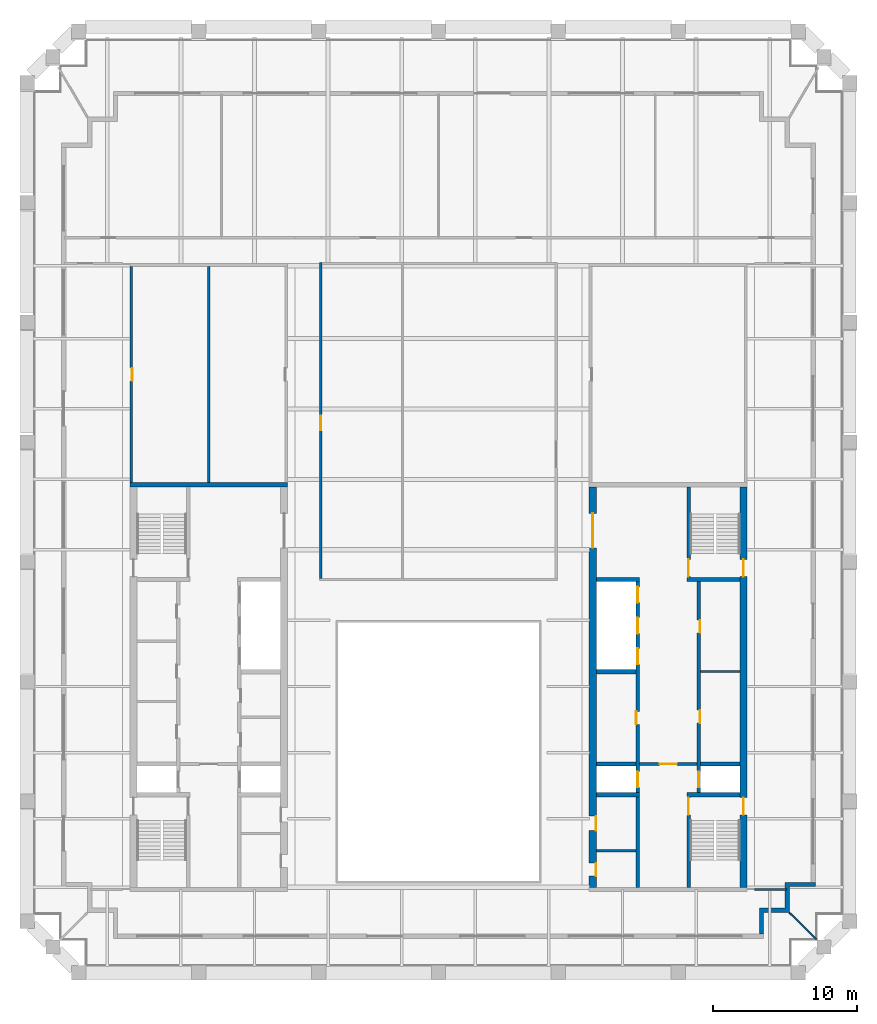
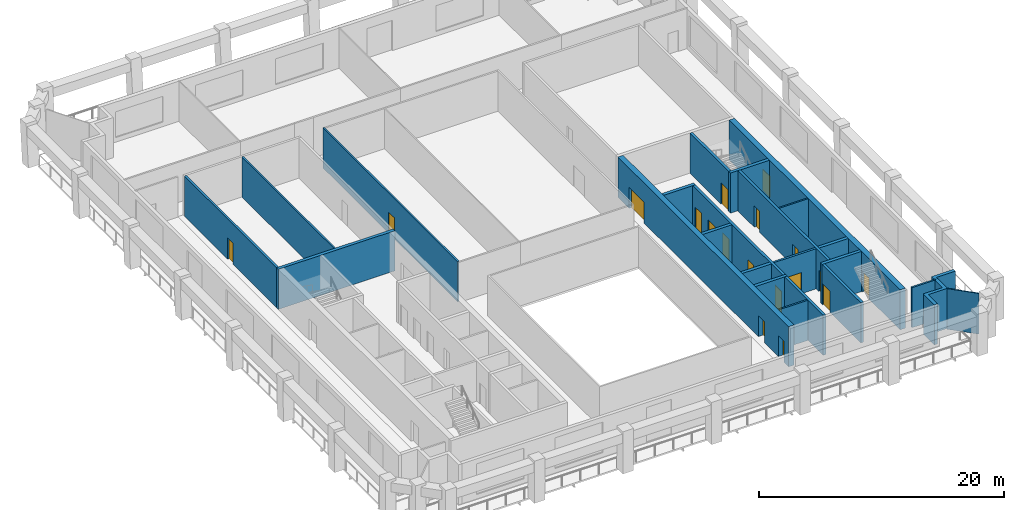
# One storey, part 4 of 7: 23 walls, 18 doors, 18 openings.
"""IFC4 building model written with IfcOpenShell, lengths in metres."""

from ifc_helpers import new_model, si_unit, direction, frame, frame_2d, origin, place, context, subcontext, project, spatial, polyline, rectangle, outline, extrude, material, layer, layer_set, type_object, element, fill, save


model = new_model("IFC4")

# Units and contexts
model_context = context("Model", 3, precision=1e-05, world=origin(), true_north=direction((0.0, 1.0)))
body_context = subcontext(model_context, "Body", "Model", "MODEL_VIEW")
ifc_project = project(units=[si_unit("LENGTHUNIT", "METRE"), si_unit("AREAUNIT", "SQUARE_METRE"), si_unit("VOLUMEUNIT", "CUBIC_METRE"), si_unit("PLANEANGLEUNIT", "RADIAN"), si_unit("MASSUNIT", "GRAM", prefix="KILO")], contexts=[model_context])

# Site, building, storey
site_placement = place(None, origin())
site = spatial("IfcSite", under=ifc_project, at=site_placement, CompositionType="ELEMENT")
building_placement = place(site_placement, origin())
building = spatial("IfcBuilding", under=site, at=building_placement, Name="Ogive Exchange Tower", CompositionType="ELEMENT")
storey_placement = place(building_placement, frame((0.0, 0.0, 321.60009765625)))
storey = spatial("IfcBuildingStorey", under=building, at=storey_placement, Name="L70", CompositionType="ELEMENT", Elevation=321.60009765625)

# Walls
ifc_material_1 = material(Name="Gypsum board partition")
ifc_layer_1 = layer(ifc_material_1, 0.14990234375)
ifc_layer_set_1 = layer_set([ifc_layer_1], Name="Core room partition 150 gypsum")
wall_type_1 = type_object("IfcWallType", Name="Core room partition 150 gypsum", PredefinedType="PARTITIONING", material=ifc_layer_set_1)
wall_1_placement = place(storey_placement, frame((-16.0, 25.75, 0.0), z_axis=(0.0, 0.0, 1.0), x_axis=(0.0, 1.0, 0.0)))
element("IfcWall", 1, at=wall_1_placement, inside=storey, type_object=wall_type_1, Name="W annex N column wall", PredefinedType="PARTITIONING", context=body_context, shape_type="SweptSolid", body=[
    extrude(rectangle(XDim=15.050048828125, YDim=0.14990234375, at=frame_2d((7.52490234375, 0.0))), origin(), (0.0, 0.0, 1.0), 4.0),
])
for number, where, z_axis, x_axis, name in (
    (2, (18.25, 12.60009765625, 0.0), (0.0, 0.0, 1.0), (1.0, 0.0, 0.0), "E row A bay partition 1-1"),
    (3, (11.0, 0.10009765625, 0.0), (0.0, 0.0, 1.0), (1.0, 0.0, 0.0), "E south room partition"),
):
    element("IfcWall", number, at=place(storey_placement, frame(where, z_axis=z_axis, x_axis=x_axis)), inside=storey, type_object=wall_type_1, Name=name, PredefinedType="PARTITIONING", context=body_context, shape_type="SweptSolid", body=[
        extrude(rectangle(XDim=2.75, YDim=0.14990234375, at=frame_2d((1.375, 0.0))), origin(), (0.0, 0.0, 1.0), 4.0),
    ])

# Wall, opening, door
ifc_material_2 = material(Name="Fire partition EI 60 150")
ifc_layer_2 = layer(ifc_material_2, 0.14990234375)
ifc_layer_set_2 = layer_set([ifc_layer_2], Name="Fire partition EI 60 150")
wall_type_2 = type_object("IfcWallType", Name="Fire partition EI 60 150", PredefinedType="PARTITIONING", material=ifc_layer_set_2)
wall_2_placement = place(storey_placement, frame((-8.199951171875, 41.074951171875, 0.0), z_axis=(0.0, 0.0, 1.0), x_axis=(0.0, -1.0, 0.0)))
wall_2 = element("IfcWall", 4, at=wall_2_placement, inside=storey, type_object=wall_type_2, Name="L70-PWL-008", PredefinedType="PARTITIONING", context=body_context, shape_type="SweptSolid", body=[
    extrude(rectangle(XDim=22.0, YDim=0.14990234375, at=frame_2d((11.0, 0.0))), origin(), (0.0, 0.0, 1.0), 4.0),
])
opening_1_placement = place(wall_2_placement, frame((10.675048828125, 0.0, 0.0)))
opening_1 = element("IfcOpeningElement", 5, at=opening_1_placement, cuts=wall_2, Name="Opening L70-I06", PredefinedType="OPENING", context=body_context, shape_type="SweptSolid", body=[
    extrude(rectangle(XDim=1.0, YDim=2.10009765625, at=frame_2d((0.5, 1.050048828125))), frame((0.0, 0.0849609375, 0.0), z_axis=(0.0, -1.0, 0.0), x_axis=(1.0, 0.0, 0.0)), (0.0, 0.0, 1.0), 0.169921875),
])
ifc_material_3 = material(Name="Fire door FD 30S 1000 x 2100")
door_type_1 = type_object("IfcDoorType", Name="Fire door FD 30S 1000 x 2100", OperationType="NOTDEFINED", PredefinedType="DOOR", material=ifc_material_3)
door_1_placement = place(opening_1_placement, origin())
door_1 = element("IfcDoor", 6, at=door_1_placement, inside=storey, type_object=door_type_1, Name="L70-IDR-006", ObjectType="DT3", OperationType="SINGLE_SWING_RIGHT", OverallHeight=2.10009765625, OverallWidth=1.0, PredefinedType="DOOR", context=body_context, shape_type="SweptSolid", body=[
    extrude(rectangle(XDim=1.0, YDim=2.10009765625, at=frame_2d((0.5, 1.050048828125))), frame((0.0, 0.02490234375, 0.0), z_axis=(0.0, -1.0, 0.0), x_axis=(1.0, 0.0, 0.0)), (0.0, 0.0, 1.0), 0.050048828125),
])
fill(opening_1, door_1)

# Walls
wall_3_placement = place(storey_placement, frame((22.0, -2.60009765625, 0.0), z_axis=(0.0, 0.0, 1.0), x_axis=(1.0, 0.0, 0.0)))
element("IfcWall", 7, at=wall_3_placement, inside=storey, type_object=wall_type_2, Name="L70-PWL-019", PredefinedType="PARTITIONING", context=body_context, shape_type="SweptSolid", body=[
    extrude(rectangle(XDim=2.25, YDim=0.14990234375, at=frame_2d((1.125, 0.0))), origin(), (0.0, 0.0, 1.0), 4.0),
])
ifc_material_4 = material(Name="Precast concrete C40/50", Category="concrete")
ifc_layer_3 = layer(ifc_material_4, 0.300048828125)
ifc_layer_set_3 = layer_set([ifc_layer_3], Name="Limestone-faced wall 300")
wall_type_3 = type_object("IfcWallType", Name="Limestone-faced wall 300", PredefinedType="STANDARD", material=ifc_layer_set_3)
wall_4_placement = place(storey_placement, origin())
element("IfcWall", 8, at=wall_4_placement, inside=storey, type_object=wall_type_3, Name="External corner wall C1", PredefinedType="STANDARD", context=body_context, shape_type="SweptSolid", body=[
    extrude(outline(polyline([(24.14990234375, -3.89990234375), (24.14990234375, -2.10009765625), (26.25, -2.10009765625), (26.25, -2.39990234375), (24.449951171875, -2.39990234375), (24.449951171875, -4.199951171875), (22.64990234375, -4.199951171875), (22.64990234375, -5.699951171875), (22.35009765625, -5.699951171875), (22.35009765625, -3.89990234375), (24.14990234375, -3.89990234375)])), origin(), (0.0, 0.0, 1.0), 4.0),
])
ifc_material_5 = material(Name="Laminated safety glass in steel frame", Category="steel")
ifc_layer_4 = layer(ifc_material_5, 0.10009765625)
ifc_layer_set_4 = layer_set([ifc_layer_4], Name="Loggia end screen 100")
wall_type_4 = type_object("IfcWallType", Name="Loggia end screen 100", PredefinedType="STANDARD", material=ifc_layer_set_4)
wall_5_placement = place(storey_placement, frame((24.449951171875, -4.199951171875, -0.050048828125), z_axis=(0.0, 0.0, 1.0), x_axis=(0.707106781187, -0.707106781187, 0.0)))
element("IfcWall", 9, at=wall_5_placement, inside=storey, type_object=wall_type_4, Name="Loggia end screen C1", PredefinedType="STANDARD", context=body_context, shape_type="SweptSolid", body=[
    extrude(rectangle(XDim=2.667236328125, YDim=0.10009765625, at=frame_2d((1.33349609375, 0.0))), origin(), (0.0, 0.0, 1.0), 4.050048828125),
])

# Wall, opening, door
ifc_material_6 = material(Name="Concrete C70/85", Category="concrete")
ifc_layer_5 = layer(ifc_material_6, 0.199951171875)
ifc_layer_set_5 = layer_set([ifc_layer_5], Name="RC core wall 200 C70/85")
wall_type_5 = type_object("IfcWallType", Name="RC core wall 200 C70/85", PredefinedType="SHEAR", material=ifc_layer_set_5)
wall_6_placement = place(storey_placement, frame((-21.39990234375, 25.75, 0.0), z_axis=(0.0, 0.0, 1.0), x_axis=(0.0, 1.0, 0.0)))
wall_6 = element("IfcWall", 10, at=wall_6_placement, inside=storey, type_object=wall_type_5, Name="W annex N outer wall", PredefinedType="SHEAR", context=body_context, shape_type="SweptSolid", body=[
    extrude(rectangle(XDim=15.050048828125, YDim=0.199951171875, at=frame_2d((7.52490234375, 0.0))), origin(), (0.0, 0.0, 1.0), 4.0),
])
opening_2_placement = place(wall_6_placement, frame((7.074951171875, 0.0, 0.0)))
opening_2 = element("IfcOpeningElement", 11, at=opening_2_placement, cuts=wall_6, Name="Opening L70-C19", PredefinedType="OPENING", context=body_context, shape_type="SweptSolid", body=[
    extrude(rectangle(XDim=0.89990234375, YDim=2.10009765625, at=frame_2d((0.449951171875, 1.050048828125))), frame((0.0, 0.10986328125, 0.0), z_axis=(0.0, -1.0, 0.0), x_axis=(1.0, 0.0, 0.0)), (0.0, 0.0, 1.0), 0.219970703125),
])
ifc_material_7 = material(Name="Steel fire door", Category="steel")
door_type_2 = type_object("IfcDoorType", Name="Riser door FD60 900 x 2100", OperationType="NOTDEFINED", PredefinedType="DOOR", material=ifc_material_7)
door_2_placement = place(opening_2_placement, origin())
door_2 = element("IfcDoor", 12, at=door_2_placement, inside=storey, type_object=door_type_2, Name="Riser door", ObjectType="CD2", OperationType="SINGLE_SWING_RIGHT", OverallHeight=2.10009765625, OverallWidth=0.89990234375, PredefinedType="DOOR", context=body_context, shape_type="SweptSolid", body=[
    extrude(rectangle(XDim=0.89990234375, YDim=2.10009765625, at=frame_2d((0.449951171875, 1.050048828125))), frame((0.0, -0.0498046875, 0.0), z_axis=(0.0, -1.0, 0.0), x_axis=(1.0, 0.0, 0.0)), (0.0, 0.0, 1.0), 0.050048828125),
])
fill(opening_2, door_2)

wall_7_placement = place(storey_placement, frame((14.0, 6.142822265625, 0.0), z_axis=(0.0, 0.0, 1.0), x_axis=(1.0, 0.0, 0.0)))
wall_7 = element("IfcWall", 13, at=wall_7_placement, inside=storey, type_object=wall_type_5, Name="E firefighting lobby wall", PredefinedType="SHEAR", context=body_context, shape_type="SweptSolid", body=[
    extrude(rectangle(XDim=4.0, YDim=0.199951171875, at=frame_2d((2.0, 0.0))), origin(), (0.0, 0.0, 1.0), 4.0),
])
opening_3_placement = place(wall_7_placement, frame((1.39990234375, 0.0, 0.0)))
opening_3 = element("IfcOpeningElement", 14, at=opening_3_placement, cuts=wall_7, Name="Opening L70-C29", PredefinedType="OPENING", context=body_context, shape_type="SweptSolid", body=[
    extrude(rectangle(XDim=1.199951171875, YDim=2.10009765625, at=frame_2d((0.60009765625, 1.050048828125))), frame((0.0, 0.10986328125, 0.0), z_axis=(0.0, -1.0, 0.0), x_axis=(1.0, 0.0, 0.0)), (0.0, 0.0, 1.0), 0.219970703125),
])
door_type_3 = type_object("IfcDoorType", Name="Firefighting lobby door FD60 1200 x 2100", OperationType="NOTDEFINED", PredefinedType="DOOR", material=ifc_material_7)
door_3_placement = place(opening_3_placement, frame((1.199951171875, 0.0, 0.0), z_axis=(0.0, 0.0, 1.0), x_axis=(-1.0, 0.0, 0.0)))
door_3 = element("IfcDoor", 15, at=door_3_placement, inside=storey, type_object=door_type_3, Name="Firefighting lobby door", ObjectType="CD3", OperationType="SINGLE_SWING_RIGHT", OverallHeight=2.10009765625, OverallWidth=1.199951171875, PredefinedType="DOOR", context=body_context, shape_type="SweptSolid", body=[
    extrude(rectangle(XDim=1.199951171875, YDim=2.10009765625, at=frame_2d((0.60009765625, 1.050048828125))), frame((0.0, 0.02490234375, 0.0), z_axis=(0.0, -1.0, 0.0), x_axis=(1.0, 0.0, 0.0)), (0.0, 0.0, 1.0), 0.050048828125),
])
fill(opening_3, door_3)

ifc_layer_6 = layer(ifc_material_6, 0.25)
ifc_layer_set_6 = layer_set([ifc_layer_6], Name="RC core wall 250 C70/85")
wall_type_6 = type_object("IfcWallType", Name="RC core wall 250 C70/85", PredefinedType="SHEAR", material=ifc_layer_set_6)
wall_8_placement = place(storey_placement, frame((17.425048828125, -2.449951171875, 0.0), z_axis=(0.0, 0.0, 1.0), x_axis=(0.0, 1.0, 0.0)))
wall_8 = element("IfcWall", 16, at=wall_8_placement, inside=storey, type_object=wall_type_6, Name="E stair S front wall", PredefinedType="SHEAR", context=body_context, shape_type="SweptSolid", body=[
    extrude(rectangle(XDim=6.300048828125, YDim=0.25, at=frame_2d((3.14990234375, 0.0))), origin(), (0.0, 0.0, 1.0), 4.0),
])
opening_4_placement = place(wall_8_placement, frame((5.050048828125, 0.0, 0.0)))
opening_4 = element("IfcOpeningElement", 17, at=opening_4_placement, cuts=wall_8, Name="Opening L70-C31", PredefinedType="OPENING", context=body_context, shape_type="SweptSolid", body=[
    extrude(rectangle(XDim=1.199951171875, YDim=2.10009765625, at=frame_2d((0.60009765625, 1.050048828125))), frame((0.0, 0.135009765625, 0.0), z_axis=(0.0, -1.0, 0.0), x_axis=(1.0, 0.0, 0.0)), (0.0, 0.0, 1.0), 0.27001953125),
])
door_type_4 = type_object("IfcDoorType", Name="Stair door FD90 1200 x 2100", OperationType="NOTDEFINED", PredefinedType="DOOR", material=ifc_material_7)
door_4_placement = place(opening_4_placement, frame((1.199951171875, 0.0, 0.0), z_axis=(0.0, 0.0, 1.0), x_axis=(-1.0, 0.0, 0.0)))
door_4 = element("IfcDoor", 18, at=door_4_placement, inside=storey, type_object=door_type_4, Name="Stair door", ObjectType="CD5", OperationType="SINGLE_SWING_RIGHT", OverallHeight=2.10009765625, OverallWidth=1.199951171875, PredefinedType="DOOR", context=body_context, shape_type="SweptSolid", body=[
    extrude(rectangle(XDim=1.199951171875, YDim=2.10009765625, at=frame_2d((0.60009765625, 1.050048828125))), frame((0.0, 0.02490234375, 0.0), z_axis=(0.0, -1.0, 0.0), x_axis=(1.0, 0.0, 0.0)), (0.0, 0.0, 1.0), 0.050048828125),
])
fill(opening_4, door_4)

wall_9_placement = place(storey_placement, frame((17.425048828125, 19.14990234375, 0.0), z_axis=(0.0, 0.0, 1.0), x_axis=(0.0, 1.0, 0.0)))
wall_9 = element("IfcWall", 19, at=wall_9_placement, inside=storey, type_object=wall_type_6, Name="E stair N front wall", PredefinedType="SHEAR", context=body_context, shape_type="SweptSolid", body=[
    extrude(rectangle(XDim=6.300048828125, YDim=0.25, at=frame_2d((3.14990234375, 0.0))), origin(), (0.0, 0.0, 1.0), 4.0),
])
opening_5_placement = place(wall_9_placement, frame((0.050048828125, 0.0, 0.0)))
opening_5 = element("IfcOpeningElement", 20, at=opening_5_placement, cuts=wall_9, Name="Opening L70-C33", PredefinedType="OPENING", context=body_context, shape_type="SweptSolid", body=[
    extrude(rectangle(XDim=1.199951171875, YDim=2.10009765625, at=frame_2d((0.60009765625, 1.050048828125))), frame((0.0, 0.135009765625, 0.0), z_axis=(0.0, -1.0, 0.0), x_axis=(1.0, 0.0, 0.0)), (0.0, 0.0, 1.0), 0.27001953125),
])
door_5_placement = place(opening_5_placement, frame((1.199951171875, 0.0, 0.0), z_axis=(0.0, 0.0, 1.0), x_axis=(-1.0, 0.0, 0.0)))
door_5 = element("IfcDoor", 21, at=door_5_placement, inside=storey, type_object=door_type_4, Name="Stair door", ObjectType="CD5", OperationType="SINGLE_SWING_LEFT", OverallHeight=2.10009765625, OverallWidth=1.199951171875, PredefinedType="DOOR", context=body_context, shape_type="SweptSolid", body=[
    extrude(rectangle(XDim=1.199951171875, YDim=2.10009765625, at=frame_2d((0.60009765625, 1.050048828125))), frame((0.0, 0.02490234375, 0.0), z_axis=(0.0, -1.0, 0.0), x_axis=(1.0, 0.0, 0.0)), (0.0, 0.0, 1.0), 0.050048828125),
])
fill(opening_5, door_5)

# Wall, openings, doors
wall_10_placement = place(storey_placement, frame((18.125, 4.14990234375, 0.0), z_axis=(0.0, 0.0, 1.0), x_axis=(0.0, 1.0, 0.0)))
wall_10 = element("IfcWall", 22, at=wall_10_placement, inside=storey, type_object=wall_type_6, Name="E row A front wall", PredefinedType="SHEAR", context=body_context, shape_type="SweptSolid", body=[
    extrude(rectangle(XDim=14.7001953125, YDim=0.25, at=frame_2d((7.35009765625, 0.0))), origin(), (0.0, 0.0, 1.0), 4.0),
])
opening_6_placement = place(wall_10_placement, frame((4.846435546875, 0.0, 0.0)))
opening_6 = element("IfcOpeningElement", 23, at=opening_6_placement, cuts=wall_10, Name="Opening L70-C21", PredefinedType="OPENING", context=body_context, shape_type="SweptSolid", body=[
    extrude(rectangle(XDim=0.89990234375, YDim=2.10009765625, at=frame_2d((0.449951171875, 1.050048828125))), frame((0.0, 0.135009765625, 0.0), z_axis=(0.0, -1.0, 0.0), x_axis=(1.0, 0.0, 0.0)), (0.0, 0.0, 1.0), 0.27001953125),
])
opening_7_placement = place(wall_10_placement, frame((11.125, 0.0, 0.0)))
opening_7 = element("IfcOpeningElement", 24, at=opening_7_placement, cuts=wall_10, Name="Opening L70-C22", PredefinedType="OPENING", context=body_context, shape_type="SweptSolid", body=[
    extrude(rectangle(XDim=0.89990234375, YDim=2.10009765625, at=frame_2d((0.449951171875, 1.050048828125))), frame((0.0, 0.135009765625, 0.0), z_axis=(0.0, -1.0, 0.0), x_axis=(1.0, 0.0, 0.0)), (0.0, 0.0, 1.0), 0.27001953125),
])
opening_8_placement = place(wall_10_placement, frame((0.371337890625, 0.0, 0.0)))
opening_8 = element("IfcOpeningElement", 25, at=opening_8_placement, cuts=wall_10, Name="Opening L70-C23", PredefinedType="OPENING", context=body_context, shape_type="SweptSolid", body=[
    extrude(rectangle(XDim=1.10009765625, YDim=2.10009765625, at=frame_2d((0.550048828125, 1.050048828125))), frame((0.0, 0.135009765625, 0.0), z_axis=(0.0, -1.0, 0.0), x_axis=(1.0, 0.0, 0.0)), (0.0, 0.0, 1.0), 0.27001953125),
])
ifc_material_8 = material(Name="Timber fire door", Category="wood")
door_type_5 = type_object("IfcDoorType", Name="Core room door FD30S 900 x 2100", OperationType="NOTDEFINED", PredefinedType="DOOR", material=ifc_material_8)
door_6_placement = place(opening_7_placement, frame((0.89990234375, -0.2001953125, 0.0), z_axis=(0.0, 0.0, 1.0), x_axis=(-1.0, 0.0, 0.0)))
door_6 = element("IfcDoor", 26, at=door_6_placement, inside=storey, type_object=door_type_5, Name="Core room door", ObjectType="CD6", OperationType="SINGLE_SWING_RIGHT", OverallHeight=2.10009765625, OverallWidth=0.89990234375, PredefinedType="DOOR", context=body_context, shape_type="SweptSolid", body=[
    extrude(rectangle(XDim=0.89990234375, YDim=2.10009765625, at=frame_2d((0.449951171875, 1.050048828125))), frame((0.0, -0.0751953125, 0.0), z_axis=(0.0, -1.0, 0.0), x_axis=(1.0, 0.0, 0.0)), (0.0, 0.0, 1.0), 0.050048828125),
])
fill(opening_7, door_6)
ifc_material_9 = material(Name="Stainless steel", Category="steel")
door_type_6 = type_object("IfcDoorType", Name="Lift landing door FD90 1100 x 2100", OperationType="SLIDING_TO_LEFT", PredefinedType="DOOR", material=ifc_material_9)
door_7_placement = place(opening_8_placement, origin())
door_7 = element("IfcDoor", 27, at=door_7_placement, inside=storey, type_object=door_type_6, Name="Lift landing door FF2", ObjectType="LD", OperationType="SLIDING_TO_LEFT", OverallHeight=2.10009765625, OverallWidth=1.10009765625, PredefinedType="DOOR", context=body_context, shape_type="SweptSolid", body=[
    extrude(rectangle(XDim=1.10009765625, YDim=2.10009765625, at=frame_2d((0.550048828125, 1.050048828125))), frame((0.0, 0.02490234375, 0.0), z_axis=(0.0, -1.0, 0.0), x_axis=(1.0, 0.0, 0.0)), (0.0, 0.0, 1.0), 0.050048828125),
])
fill(opening_8, door_7)
door_8_placement = place(opening_6_placement, frame((0.89990234375, -0.2001953125, 0.0), z_axis=(0.0, 0.0, 1.0), x_axis=(-1.0, 0.0, 0.0)))
door_8 = element("IfcDoor", 28, at=door_8_placement, inside=storey, type_object=door_type_2, Name="Riser door", ObjectType="CD2", OperationType="SINGLE_SWING_RIGHT", OverallHeight=2.10009765625, OverallWidth=0.89990234375, PredefinedType="DOOR", context=body_context, shape_type="SweptSolid", body=[
    extrude(rectangle(XDim=0.89990234375, YDim=2.10009765625, at=frame_2d((0.449951171875, 1.050048828125))), frame((0.0, -0.0751953125, 0.0), z_axis=(0.0, -1.0, 0.0), x_axis=(1.0, 0.0, 0.0)), (0.0, 0.0, 1.0), 0.050048828125),
])
fill(opening_6, door_8)

wall_11_placement = place(storey_placement, frame((13.875, -2.449951171875, 0.0), z_axis=(0.0, 0.0, 1.0), x_axis=(0.0, 1.0, 0.0)))
wall_11 = element("IfcWall", 29, at=wall_11_placement, inside=storey, type_object=wall_type_6, Name="E row B front wall", PredefinedType="SHEAR", context=body_context, shape_type="SweptSolid", body=[
    extrude(rectangle(XDim=21.300048828125, YDim=0.25, at=frame_2d((10.64990234375, 0.0))), origin(), (0.0, 0.0, 1.0), 4.0),
])
opening_9_placement = place(wall_11_placement, frame((11.357177734375, 0.0, 0.0)))
opening_9 = element("IfcOpeningElement", 30, at=opening_9_placement, cuts=wall_11, Name="Opening L70-C24", PredefinedType="OPENING", context=body_context, shape_type="SweptSolid", body=[
    extrude(rectangle(XDim=0.89990234375, YDim=2.10009765625, at=frame_2d((0.449951171875, 1.050048828125))), frame((0.0, 0.135009765625, 0.0), z_axis=(0.0, -1.0, 0.0), x_axis=(1.0, 0.0, 0.0)), (0.0, 0.0, 1.0), 0.27001953125),
])
opening_10_placement = place(wall_11_placement, frame((6.971435546875, 0.0, 0.0)))
opening_10 = element("IfcOpeningElement", 31, at=opening_10_placement, cuts=wall_11, Name="Opening L70-C25", PredefinedType="OPENING", context=body_context, shape_type="SweptSolid", body=[
    extrude(rectangle(XDim=1.10009765625, YDim=2.10009765625, at=frame_2d((0.550048828125, 1.050048828125))), frame((0.0, 0.135009765625, 0.0), z_axis=(0.0, -1.0, 0.0), x_axis=(1.0, 0.0, 0.0)), (0.0, 0.0, 1.0), 0.27001953125),
])
opening_11_placement = place(wall_11_placement, frame((15.54296875, 0.0, 0.0)))
opening_11 = element("IfcOpeningElement", 32, at=opening_11_placement, cuts=wall_11, Name="Opening L70-C26", PredefinedType="OPENING", context=body_context, shape_type="SweptSolid", body=[
    extrude(rectangle(XDim=1.10009765625, YDim=2.10009765625, at=frame_2d((0.550048828125, 1.050048828125))), frame((0.0, 0.135009765625, 0.0), z_axis=(0.0, -1.0, 0.0), x_axis=(1.0, 0.0, 0.0)), (0.0, 0.0, 1.0), 0.27001953125),
])
opening_12_placement = place(wall_11_placement, frame((17.685791015625, 0.0, 0.0)))
opening_12 = element("IfcOpeningElement", 33, at=opening_12_placement, cuts=wall_11, Name="Opening L70-C27", PredefinedType="OPENING", context=body_context, shape_type="SweptSolid", body=[
    extrude(rectangle(XDim=1.10009765625, YDim=2.10009765625, at=frame_2d((0.550048828125, 1.050048828125))), frame((0.0, 0.135009765625, 0.0), z_axis=(0.0, -1.0, 0.0), x_axis=(1.0, 0.0, 0.0)), (0.0, 0.0, 1.0), 0.27001953125),
])
opening_13_placement = place(wall_11_placement, frame((19.82861328125, 0.0, 0.0)))
opening_13 = element("IfcOpeningElement", 34, at=opening_13_placement, cuts=wall_11, Name="Opening L70-C28", PredefinedType="OPENING", context=body_context, shape_type="SweptSolid", body=[
    extrude(rectangle(XDim=1.10009765625, YDim=2.10009765625, at=frame_2d((0.550048828125, 1.050048828125))), frame((0.0, 0.135009765625, 0.0), z_axis=(0.0, -1.0, 0.0), x_axis=(1.0, 0.0, 0.0)), (0.0, 0.0, 1.0), 0.27001953125),
])
door_9_placement = place(opening_9_placement, origin())
door_9 = element("IfcDoor", 35, at=door_9_placement, inside=storey, type_object=door_type_5, Name="Core room door", ObjectType="CD6", OperationType="SINGLE_SWING_RIGHT", OverallHeight=2.10009765625, OverallWidth=0.89990234375, PredefinedType="DOOR", context=body_context, shape_type="SweptSolid", body=[
    extrude(rectangle(XDim=0.89990234375, YDim=2.10009765625, at=frame_2d((0.449951171875, 1.050048828125))), frame((0.0, 0.125, 0.0), z_axis=(0.0, -1.0, 0.0), x_axis=(1.0, 0.0, 0.0)), (0.0, 0.0, 1.0), 0.050048828125),
])
fill(opening_9, door_9)
door_10_placement = place(opening_10_placement, origin())
door_10 = element("IfcDoor", 36, at=door_10_placement, inside=storey, type_object=door_type_6, Name="Lift landing door SV2", ObjectType="LD", OperationType="SLIDING_TO_LEFT", OverallHeight=2.10009765625, OverallWidth=1.10009765625, PredefinedType="DOOR", context=body_context, shape_type="SweptSolid", body=[
    extrude(rectangle(XDim=1.10009765625, YDim=2.10009765625, at=frame_2d((0.550048828125, 1.050048828125))), frame((0.0, 0.02490234375, 0.0), z_axis=(0.0, -1.0, 0.0), x_axis=(1.0, 0.0, 0.0)), (0.0, 0.0, 1.0), 0.050048828125),
])
fill(opening_10, door_10)
door_11_placement = place(opening_11_placement, origin())
door_11 = element("IfcDoor", 37, at=door_11_placement, inside=storey, type_object=door_type_6, Name="Lift landing door E-H1", ObjectType="LD", OperationType="SLIDING_TO_LEFT", OverallHeight=2.10009765625, OverallWidth=1.10009765625, PredefinedType="DOOR", context=body_context, shape_type="SweptSolid", body=[
    extrude(rectangle(XDim=1.10009765625, YDim=2.10009765625, at=frame_2d((0.550048828125, 1.050048828125))), frame((0.0, 0.02490234375, 0.0), z_axis=(0.0, -1.0, 0.0), x_axis=(1.0, 0.0, 0.0)), (0.0, 0.0, 1.0), 0.050048828125),
])
fill(opening_11, door_11)
door_12_placement = place(opening_12_placement, origin())
door_12 = element("IfcDoor", 38, at=door_12_placement, inside=storey, type_object=door_type_6, Name="Lift landing door E-H2", ObjectType="LD", OperationType="SLIDING_TO_LEFT", OverallHeight=2.10009765625, OverallWidth=1.10009765625, PredefinedType="DOOR", context=body_context, shape_type="SweptSolid", body=[
    extrude(rectangle(XDim=1.10009765625, YDim=2.10009765625, at=frame_2d((0.550048828125, 1.050048828125))), frame((0.0, 0.02490234375, 0.0), z_axis=(0.0, -1.0, 0.0), x_axis=(1.0, 0.0, 0.0)), (0.0, 0.0, 1.0), 0.050048828125),
])
fill(opening_12, door_12)
door_13_placement = place(opening_13_placement, origin())
door_13 = element("IfcDoor", 39, at=door_13_placement, inside=storey, type_object=door_type_6, Name="Lift landing door E-H3", ObjectType="LD", OperationType="SLIDING_TO_LEFT", OverallHeight=2.10009765625, OverallWidth=1.10009765625, PredefinedType="DOOR", context=body_context, shape_type="SweptSolid", body=[
    extrude(rectangle(XDim=1.10009765625, YDim=2.10009765625, at=frame_2d((0.550048828125, 1.050048828125))), frame((0.0, 0.02490234375, 0.0), z_axis=(0.0, -1.0, 0.0), x_axis=(1.0, 0.0, 0.0)), (0.0, 0.0, 1.0), 0.050048828125),
])
fill(opening_13, door_13)

# Walls
ifc_layer_7 = layer(ifc_material_6, 0.300048828125)
ifc_layer_set_7 = layer_set([ifc_layer_7], Name="RC core wall 300 C70/85")
wall_type_7 = type_object("IfcWallType", Name="RC core wall 300 C70/85", PredefinedType="SHEAR", material=ifc_layer_set_7)
wall_12_placement = place(storey_placement, frame((-21.5, 25.60009765625, 0.0), z_axis=(0.0, 0.0, 1.0), x_axis=(1.0, 0.0, 0.0)))
element("IfcWall", 40, at=wall_12_placement, inside=storey, type_object=wall_type_7, Name="W north end wall", PredefinedType="SHEAR", context=body_context, shape_type="SweptSolid", body=[
    extrude(rectangle(XDim=11.0, YDim=0.300048828125, at=frame_2d((5.5, 0.0))), origin(), (0.0, 0.0, 1.0), 4.0),
])
for number, where, z_axis, x_axis, name in (
    (41, (17.300048828125, 4.0, 0.0), (0.0, 0.0, 1.0), (1.0, 0.0, 0.0), "E stair S north wall"),
    (42, (17.300048828125, 19.0, 0.0), (0.0, 0.0, 1.0), (1.0, 0.0, 0.0), "E stair N south wall"),
):
    element("IfcWall", number, at=place(storey_placement, frame(where, z_axis=z_axis, x_axis=x_axis)), inside=storey, type_object=wall_type_7, Name=name, PredefinedType="SHEAR", context=body_context, shape_type="SweptSolid", body=[
        extrude(rectangle(XDim=3.699951171875, YDim=0.300048828125, at=frame_2d((1.85009765625, 0.0))), origin(), (0.0, 0.0, 1.0), 4.0),
    ])
wall_13_placement = place(storey_placement, frame((18.25, 6.142822265625, 0.0), z_axis=(0.0, 0.0, 1.0), x_axis=(1.0, 0.0, 0.0)))
element("IfcWall", 43, at=wall_13_placement, inside=storey, type_object=wall_type_7, Name="E row A divider 1", PredefinedType="SHEAR", context=body_context, shape_type="SweptSolid", body=[
    extrude(rectangle(XDim=2.75, YDim=0.300048828125, at=frame_2d((1.375, 0.0))), origin(), (0.0, 0.0, 1.0), 4.0),
])
wall_14_placement = place(storey_placement, frame((11.0, 4.0, 0.0), z_axis=(0.0, 0.0, 1.0), x_axis=(1.0, 0.0, 0.0)))
element("IfcWall", 44, at=wall_14_placement, inside=storey, type_object=wall_type_7, Name="E row B divider 0", PredefinedType="SHEAR", context=body_context, shape_type="SweptSolid", body=[
    extrude(rectangle(XDim=3.0, YDim=0.300048828125, at=frame_2d((1.5, 0.0))), origin(), (0.0, 0.0, 1.0), 4.0),
])
for number, where, z_axis, x_axis, name in (
    (45, (11.0, 6.142822265625, 0.0), (0.0, 0.0, 1.0), (1.0, 0.0, 0.0), "E row B divider 1"),
    (46, (11.0, 12.5712890625, 0.0), (0.0, 0.0, 1.0), (1.0, 0.0, 0.0), "E row B divider 4"),
):
    element("IfcWall", number, at=place(storey_placement, frame(where, z_axis=z_axis, x_axis=x_axis)), inside=storey, type_object=wall_type_7, Name=name, PredefinedType="SHEAR", context=body_context, shape_type="SweptSolid", body=[
        extrude(rectangle(XDim=2.75, YDim=0.300048828125, at=frame_2d((1.375, 0.0))), origin(), (0.0, 0.0, 1.0), 4.0),
    ])
wall_15_placement = place(storey_placement, frame((11.0, 19.0, 0.0), z_axis=(0.0, 0.0, 1.0), x_axis=(1.0, 0.0, 0.0)))
element("IfcWall", 47, at=wall_15_placement, inside=storey, type_object=wall_type_7, Name="E row B divider 7", PredefinedType="SHEAR", context=body_context, shape_type="SweptSolid", body=[
    extrude(rectangle(XDim=3.0, YDim=0.300048828125, at=frame_2d((1.5, 0.0))), origin(), (0.0, 0.0, 1.0), 4.0),
])

# Wall, openings, doors
ifc_layer_8 = layer(ifc_material_6, 0.5)
ifc_layer_set_8 = layer_set([ifc_layer_8], Name="RC core wall 500 C70/85")
wall_type_8 = type_object("IfcWallType", Name="RC core wall 500 C70/85", PredefinedType="SHEAR", material=ifc_layer_set_8)
wall_16_placement = place(storey_placement, frame((21.25, -2.449951171875, 0.0), z_axis=(0.0, 0.0, 1.0), x_axis=(0.0, 1.0, 0.0)))
wall_16 = element("IfcWall", 48, at=wall_16_placement, inside=storey, type_object=wall_type_8, Name="E outer wall", PredefinedType="SHEAR", context=body_context, shape_type="SweptSolid", body=[
    extrude(rectangle(XDim=27.89990234375, YDim=0.5, at=frame_2d((13.949951171875, 0.0))), origin(), (0.0, 0.0, 1.0), 4.0),
])
opening_14_placement = place(wall_16_placement, frame((5.050048828125, 0.0, 0.0)))
opening_14 = element("IfcOpeningElement", 49, at=opening_14_placement, cuts=wall_16, Name="Opening L70-C32", PredefinedType="OPENING", context=body_context, shape_type="SweptSolid", body=[
    extrude(rectangle(XDim=1.199951171875, YDim=2.10009765625, at=frame_2d((0.60009765625, 1.050048828125))), frame((0.0, 0.260009765625, 0.0), z_axis=(0.0, -1.0, 0.0), x_axis=(1.0, 0.0, 0.0)), (0.0, 0.0, 1.0), 0.52001953125),
])
opening_15_placement = place(wall_16_placement, frame((21.64990234375, 0.0, 0.0)))
opening_15 = element("IfcOpeningElement", 50, at=opening_15_placement, cuts=wall_16, Name="Opening L70-C34", PredefinedType="OPENING", context=body_context, shape_type="SweptSolid", body=[
    extrude(rectangle(XDim=1.199951171875, YDim=2.10009765625, at=frame_2d((0.60009765625, 1.050048828125))), frame((0.0, 0.260009765625, 0.0), z_axis=(0.0, -1.0, 0.0), x_axis=(1.0, 0.0, 0.0)), (0.0, 0.0, 1.0), 0.52001953125),
])
door_14_placement = place(opening_14_placement, frame((1.199951171875, 0.0, 0.0), z_axis=(0.0, 0.0, 1.0), x_axis=(-1.0, 0.0, 0.0)))
door_14 = element("IfcDoor", 51, at=door_14_placement, inside=storey, type_object=door_type_4, Name="Stair door", ObjectType="CD5", OperationType="SINGLE_SWING_LEFT", OverallHeight=2.10009765625, OverallWidth=1.199951171875, PredefinedType="DOOR", context=body_context, shape_type="SweptSolid", body=[
    extrude(rectangle(XDim=1.199951171875, YDim=2.10009765625, at=frame_2d((0.60009765625, 1.050048828125))), frame((0.0, 0.02490234375, 0.0), z_axis=(0.0, -1.0, 0.0), x_axis=(1.0, 0.0, 0.0)), (0.0, 0.0, 1.0), 0.050048828125),
])
fill(opening_14, door_14)
door_15_placement = place(opening_15_placement, frame((1.199951171875, 0.0, 0.0), z_axis=(0.0, 0.0, 1.0), x_axis=(-1.0, 0.0, 0.0)))
door_15 = element("IfcDoor", 52, at=door_15_placement, inside=storey, type_object=door_type_4, Name="Stair door", ObjectType="CD5", OperationType="SINGLE_SWING_RIGHT", OverallHeight=2.10009765625, OverallWidth=1.199951171875, PredefinedType="DOOR", context=body_context, shape_type="SweptSolid", body=[
    extrude(rectangle(XDim=1.199951171875, YDim=2.10009765625, at=frame_2d((0.60009765625, 1.050048828125))), frame((0.0, 0.02490234375, 0.0), z_axis=(0.0, -1.0, 0.0), x_axis=(1.0, 0.0, 0.0)), (0.0, 0.0, 1.0), 0.050048828125),
])
fill(opening_15, door_15)

wall_17_placement = place(storey_placement, frame((10.75, -2.449951171875, 0.0), z_axis=(0.0, 0.0, 1.0), x_axis=(0.0, 1.0, 0.0)))
wall_17 = element("IfcWall", 53, at=wall_17_placement, inside=storey, type_object=wall_type_8, Name="E inner wall", PredefinedType="SHEAR", context=body_context, shape_type="SweptSolid", body=[
    extrude(rectangle(XDim=27.89990234375, YDim=0.5, at=frame_2d((13.949951171875, 0.0))), origin(), (0.0, 0.0, 1.0), 4.0),
])
opening_16_placement = place(wall_17_placement, frame((23.64990234375, 0.0, 0.0)))
opening_16 = element("IfcOpeningElement", 54, at=opening_16_placement, cuts=wall_17, Name="Opening L70-C30", PredefinedType="OPENING", context=body_context, shape_type="SweptSolid", body=[
    extrude(rectangle(XDim=2.39990234375, YDim=2.10009765625, at=frame_2d((1.199951171875, 1.050048828125))), frame((0.0, 0.260009765625, 0.0), z_axis=(0.0, -1.0, 0.0), x_axis=(1.0, 0.0, 0.0)), (0.0, 0.0, 1.0), 0.52001953125),
])
opening_17_placement = place(wall_17_placement, frame((0.78759765625, 0.0, 0.0)))
opening_17 = element("IfcOpeningElement", 55, at=opening_17_placement, cuts=wall_17, Name="Opening L70-C35", PredefinedType="OPENING", context=body_context, shape_type="SweptSolid", body=[
    extrude(rectangle(XDim=0.89990234375, YDim=2.10009765625, at=frame_2d((0.449951171875, 1.050048828125))), frame((0.0, 0.260009765625, 0.0), z_axis=(0.0, -1.0, 0.0), x_axis=(1.0, 0.0, 0.0)), (0.0, 0.0, 1.0), 0.52001953125),
])
opening_18_placement = place(wall_17_placement, frame((3.96240234375, 0.0, 0.0)))
opening_18 = element("IfcOpeningElement", 56, at=opening_18_placement, cuts=wall_17, Name="Opening L70-C36", PredefinedType="OPENING", context=body_context, shape_type="SweptSolid", body=[
    extrude(rectangle(XDim=1.0, YDim=2.10009765625, at=frame_2d((0.5, 1.050048828125))), frame((0.0, 0.260009765625, 0.0), z_axis=(0.0, -1.0, 0.0), x_axis=(1.0, 0.0, 0.0)), (0.0, 0.0, 1.0), 0.52001953125),
])
door_type_7 = type_object("IfcDoorType", Name="Accessible WC door FD30S 1000 x 2100", OperationType="NOTDEFINED", PredefinedType="DOOR", material=ifc_material_8)
door_16_placement = place(opening_18_placement, origin())
door_16 = element("IfcDoor", 57, at=door_16_placement, inside=storey, type_object=door_type_7, Name="Accessible WC door", ObjectType="CD7", OperationType="SINGLE_SWING_LEFT", OverallHeight=2.10009765625, OverallWidth=1.0, PredefinedType="DOOR", context=body_context, shape_type="SweptSolid", body=[
    extrude(rectangle(XDim=1.0, YDim=2.10009765625, at=frame_2d((0.5, 1.050048828125))), frame((0.0, -0.2001953125, 0.0), z_axis=(0.0, -1.0, 0.0), x_axis=(1.0, 0.0, 0.0)), (0.0, 0.0, 1.0), 0.050048828125),
])
fill(opening_18, door_16)
door_17_placement = place(opening_17_placement, origin())
door_17 = element("IfcDoor", 58, at=door_17_placement, inside=storey, type_object=door_type_5, Name="Core room door", ObjectType="CD6", OperationType="SINGLE_SWING_LEFT", OverallHeight=2.10009765625, OverallWidth=0.89990234375, PredefinedType="DOOR", context=body_context, shape_type="SweptSolid", body=[
    extrude(rectangle(XDim=0.89990234375, YDim=2.10009765625, at=frame_2d((0.449951171875, 1.050048828125))), frame((0.0, -0.2001953125, 0.0), z_axis=(0.0, -1.0, 0.0), x_axis=(1.0, 0.0, 0.0)), (0.0, 0.0, 1.0), 0.050048828125),
])
fill(opening_17, door_17)
ifc_material_10 = material(Name="Glazed steel fire door", Category="steel")
door_type_8 = type_object("IfcDoorType", Name="Lift lobby double door FD60 2400 x 2100", OperationType="DOUBLE_DOOR_SINGLE_SWING", PredefinedType="DOOR", material=ifc_material_10)
door_18_placement = place(opening_16_placement, origin())
door_18 = element("IfcDoor", 59, at=door_18_placement, inside=storey, type_object=door_type_8, Name="Lift lobby double door", ObjectType="CD4", OperationType="DOUBLE_DOOR_SINGLE_SWING", OverallHeight=2.10009765625, OverallWidth=2.39990234375, PredefinedType="DOOR", context=body_context, shape_type="SweptSolid", body=[
    extrude(rectangle(XDim=2.39990234375, YDim=2.10009765625, at=frame_2d((1.199951171875, 1.050048828125))), frame((0.0, 0.02490234375, 0.0), z_axis=(0.0, -1.0, 0.0), x_axis=(1.0, 0.0, 0.0)), (0.0, 0.0, 1.0), 0.050048828125),
])
fill(opening_16, door_18)

save(model, "model.ifc")
